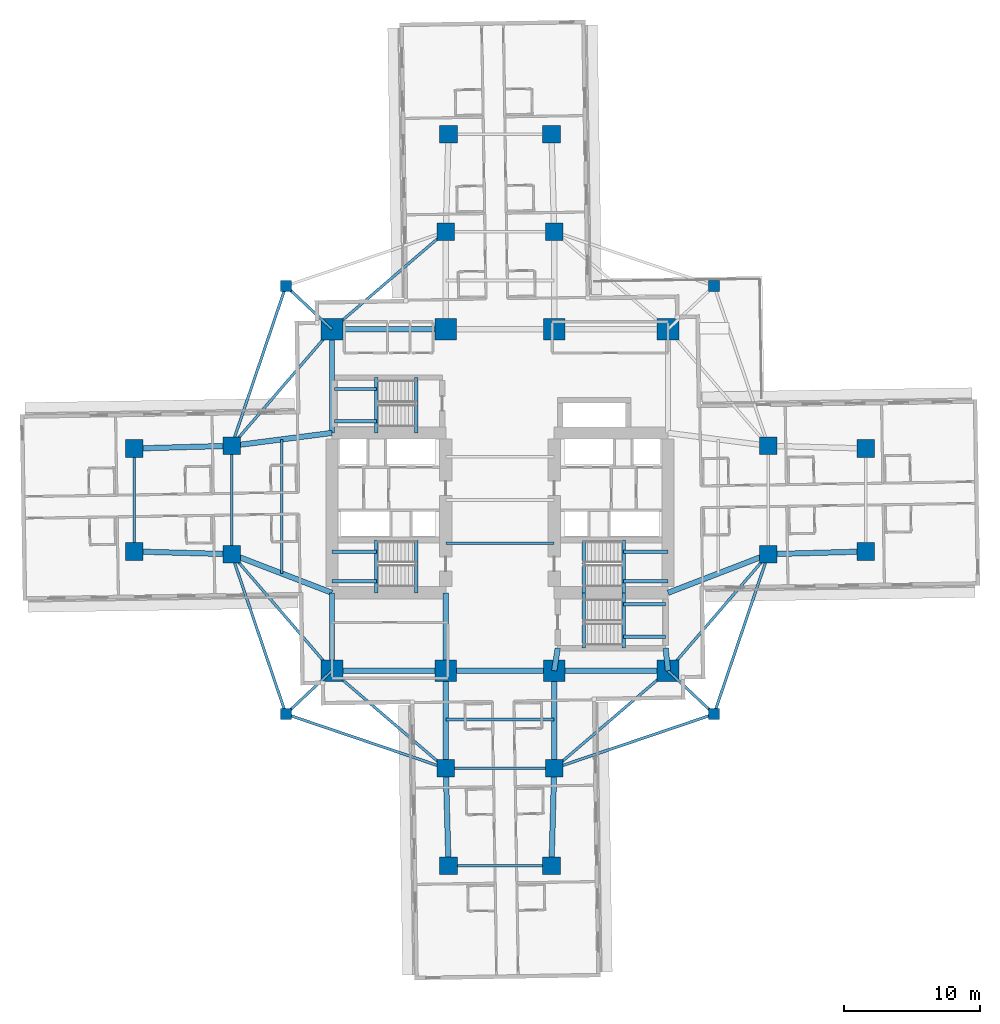
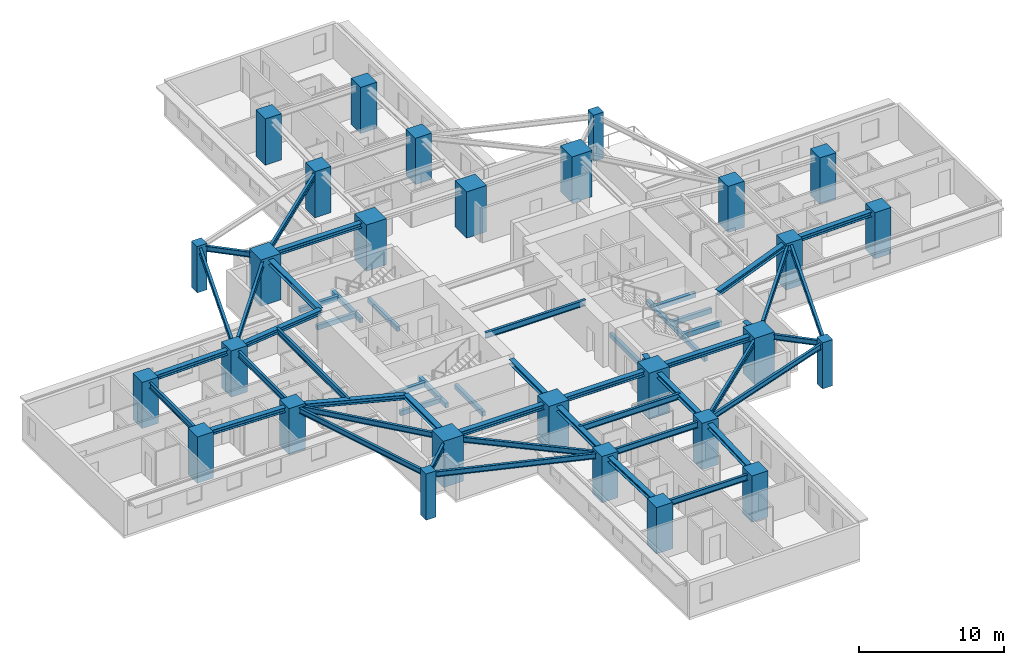
# One storey, part 1 of 14: 56 beams, 28 columns.
"""IFC4 building model written with IfcOpenShell, lengths in metres."""

from ifc_helpers import new_model, si_unit, direction, frame, origin, origin_2d, place, context, subcontext, project, spatial, rectangle, i_section, extrude, material, material_profile, profile_set, type_object, element, save


model = new_model("IFC4")

# Units and contexts
model_context = context("Model", 3, precision=1e-05, world=origin(), true_north=direction((0.0, 1.0)))
body_context = subcontext(model_context, "Body", "Model", "MODEL_VIEW")
ifc_project = project(units=[si_unit("LENGTHUNIT", "METRE"), si_unit("AREAUNIT", "SQUARE_METRE"), si_unit("VOLUMEUNIT", "CUBIC_METRE"), si_unit("PLANEANGLEUNIT", "RADIAN"), si_unit("MASSUNIT", "GRAM", prefix="KILO")], contexts=[model_context])

# Site, building, storey
site_placement = place(None, origin())
site = spatial("IfcSite", under=ifc_project, at=site_placement, CompositionType="ELEMENT")
building_placement = place(site_placement, origin())
building = spatial("IfcBuilding", under=site, at=building_placement, Name="Qingluan Cross Belvedere", CompositionType="ELEMENT")
storey_placement = place(building_placement, frame((0.0, 0.0, 27.60009765625)))
storey = spatial("IfcBuildingStorey", under=building, at=storey_placement, Name="L07", CompositionType="ELEMENT", Elevation=27.60009765625)

# Columns
ifc_material_1 = material(Name="Concrete C60", Category="concrete")
ifc_material_profile_1 = material_profile(ifc_material_1, rectangle(XDim=1.300048828125, YDim=1.300048828125, at=origin_2d()), Name="RC1300x1300")
ifc_profile_set_1 = profile_set([ifc_material_profile_1], Name="Concrete C60")
column_type_1 = type_object("IfcColumnType", Name="Column_RC1300x1300", PredefinedType="COLUMN", material=ifc_profile_set_1)
for number, where, z_axis, x_axis, name in (
    (1, (19.800048828125, -4.0, 0.0), (0.0, 0.0, 1.0), (1.0, 0.0, 0.0), "Arm column L07-EIA"),
    (2, (19.800048828125, 4.0, 0.0), (0.0, 0.0, 1.0), (1.0, 0.0, 0.0), "Arm column L07-EIB"),
    (3, (-19.800048828125, -4.0, 0.0), (0.0, 0.0, 1.0), (1.0, 0.0, 0.0), "Arm column L07-WIA"),
    (4, (-19.800048828125, 4.0, 0.0), (0.0, 0.0, 1.0), (1.0, 0.0, 0.0), "Arm column L07-WIB"),
    (5, (-4.0, -19.800048828125, 0.0), (0.0, 0.0, 1.0), (1.0, 0.0, 0.0), "Arm column L07-SIA"),
    (6, (4.0, -19.800048828125, 0.0), (0.0, 0.0, 1.0), (1.0, 0.0, 0.0), "Arm column L07-SIB"),
    (7, (-4.0, 19.800048828125, 0.0), (0.0, 0.0, 1.0), (1.0, 0.0, 0.0), "Arm column L07-NIA"),
    (8, (4.0, 19.800048828125, 0.0), (0.0, 0.0, 1.0), (1.0, 0.0, 0.0), "Arm column L07-NIB"),
    (9, (27.0, -3.800048828125, 0.0), (0.0, 0.0, 1.0), (1.0, 0.0, 0.0), "Arm column L07-EOA"),
    (10, (27.0, 3.800048828125, 0.0), (0.0, 0.0, 1.0), (1.0, 0.0, 0.0), "Arm column L07-EOB"),
    (11, (-27.0, -3.800048828125, 0.0), (0.0, 0.0, 1.0), (1.0, 0.0, 0.0), "Arm column L07-WOA"),
    (12, (-27.0, 3.800048828125, 0.0), (0.0, 0.0, 1.0), (1.0, 0.0, 0.0), "Arm column L07-WOB"),
    (13, (-3.800048828125, -27.0, 0.0), (0.0, 0.0, 1.0), (1.0, 0.0, 0.0), "Arm column L07-SOA"),
    (14, (3.800048828125, -27.0, 0.0), (0.0, 0.0, 1.0), (1.0, 0.0, 0.0), "Arm column L07-SOB"),
    (15, (-3.800048828125, 27.0, 0.0), (0.0, 0.0, 1.0), (1.0, 0.0, 0.0), "Arm column L07-NOA"),
    (16, (3.800048828125, 27.0, 0.0), (0.0, 0.0, 1.0), (1.0, 0.0, 0.0), "Arm column L07-NOB"),
):
    element("IfcColumn", number, at=place(storey_placement, frame(where, z_axis=z_axis, x_axis=x_axis)), inside=storey, type_object=column_type_1, Name=name, PredefinedType="COLUMN", context=body_context, shape_type="SweptSolid", body=[
        extrude(rectangle(XDim=1.300048828125, YDim=1.300048828125, at=origin_2d()), origin(), (0.0, 0.0, 1.0), 3.89990234375),
    ])
ifc_material_2 = material(Name="Concrete C70", Category="concrete")
ifc_material_profile_2 = material_profile(ifc_material_2, rectangle(XDim=1.60009765625, YDim=1.60009765625, at=origin_2d()), Name="RC1600x1600")
ifc_profile_set_2 = profile_set([ifc_material_profile_2], Name="Concrete C70")
column_type_2 = type_object("IfcColumnType", Name="Column_RC1600x1600", PredefinedType="COLUMN", material=ifc_profile_set_2)
for number, where, z_axis, x_axis, name in (
    (17, (-12.39990234375, -12.60009765625, 0.0), (0.0, 0.0, 1.0), (1.0, 0.0, 0.0), "Hub column L07-HC1"),
    (18, (12.39990234375, -12.60009765625, 0.0), (0.0, 0.0, 1.0), (1.0, 0.0, 0.0), "Hub column L07-HC2"),
    (19, (12.39990234375, 12.60009765625, 0.0), (0.0, 0.0, 1.0), (1.0, 0.0, 0.0), "Hub column L07-HC3"),
    (20, (-12.39990234375, 12.60009765625, 0.0), (0.0, 0.0, 1.0), (1.0, 0.0, 0.0), "Hub column L07-HC4"),
    (21, (-4.0, -12.60009765625, 0.0), (0.0, 0.0, 1.0), (1.0, 0.0, 0.0), "Hub column L07-HC5"),
    (22, (4.0, -12.60009765625, 0.0), (0.0, 0.0, 1.0), (1.0, 0.0, 0.0), "Hub column L07-HC6"),
    (23, (4.0, 12.60009765625, 0.0), (0.0, 0.0, 1.0), (1.0, 0.0, 0.0), "Hub column L07-HC7"),
    (24, (-4.0, 12.60009765625, 0.0), (0.0, 0.0, 1.0), (1.0, 0.0, 0.0), "Hub column L07-HC8"),
):
    element("IfcColumn", number, at=place(storey_placement, frame(where, z_axis=z_axis, x_axis=x_axis)), inside=storey, type_object=column_type_2, Name=name, PredefinedType="COLUMN", context=body_context, shape_type="SweptSolid", body=[
        extrude(rectangle(XDim=1.60009765625, YDim=1.60009765625, at=origin_2d()), origin(), (0.0, 0.0, 1.0), 3.89990234375),
    ])
ifc_material_3 = material(Name="Concrete C50", Category="concrete")
ifc_material_profile_3 = material_profile(ifc_material_3, rectangle(XDim=0.800048828125, YDim=0.800048828125, at=origin_2d()), Name="RC800x800")
ifc_profile_set_3 = profile_set([ifc_material_profile_3], Name="Concrete C50")
column_type_3 = type_object("IfcColumnType", Name="Column_RC800x800", PredefinedType="COLUMN", material=ifc_profile_set_3)
for number, where, z_axis, x_axis, name in (
    (25, (15.800048828125, 15.800048828125, 0.0), (0.0, 0.0, 1.0), (1.0, 0.0, 0.0), "Corner column L07-RNE"),
    (26, (-15.800048828125, 15.800048828125, 0.0), (0.0, 0.0, 1.0), (1.0, 0.0, 0.0), "Corner column L07-RNW"),
    (27, (-15.800048828125, -15.800048828125, 0.0), (0.0, 0.0, 1.0), (1.0, 0.0, 0.0), "Corner column L07-RSW"),
    (28, (15.800048828125, -15.800048828125, 0.0), (0.0, 0.0, 1.0), (1.0, 0.0, 0.0), "Corner column L07-RSE"),
):
    element("IfcColumn", number, at=place(storey_placement, frame(where, z_axis=z_axis, x_axis=x_axis)), inside=storey, type_object=column_type_3, Name=name, PredefinedType="COLUMN", context=body_context, shape_type="SweptSolid", body=[
        extrude(rectangle(XDim=0.800048828125, YDim=0.800048828125, at=origin_2d()), origin(), (0.0, 0.0, 1.0), 3.89990234375),
    ])

# Beams
ifc_material_4 = material(Name="Concrete C45", Category="concrete")
ifc_material_profile_4 = material_profile(ifc_material_4, rectangle(XDim=0.25, YDim=0.39990234375, at=origin_2d()), Name="RC250x400")
ifc_profile_set_4 = profile_set([ifc_material_profile_4], Name="Concrete C45")
beam_type_1 = type_object("IfcBeamType", Name="RC_Lintel_RC250x400", PredefinedType="LINTEL", material=ifc_profile_set_4)
for number, where, z_axis, x_axis, name in (
    (29, (-6.179931640625, -6.85009765625, -0.2001953125), (0.0, 1.0, 0.0), (-1.0, 0.0, 0.0), "Stair ST1 landing beam L07"),
    (30, (6.179931640625, -6.85009765625, -0.2001953125), (0.0, 1.0, 0.0), (-1.0, 0.0, 0.0), "Stair ST2 landing beam L07"),
):
    element("IfcBeam", number, at=place(storey_placement, frame(where, z_axis=z_axis, x_axis=x_axis)), inside=storey, type_object=beam_type_1, Name=name, PredefinedType="LINTEL", context=body_context, shape_type="SweptSolid", body=[
        extrude(rectangle(XDim=0.25, YDim=0.39990234375, at=origin_2d()), origin(), (0.0, 0.0, 1.0), 3.89013671875),
    ])
beam_1_placement = place(storey_placement, frame((-6.179931640625, 4.949951171875, -0.2001953125), z_axis=(0.0, 1.0, 0.0), x_axis=(-1.0, 0.0, 0.0)))
element("IfcBeam", 31, at=beam_1_placement, inside=storey, type_object=beam_type_1, Name="Stair ST3 landing beam L07", PredefinedType="LINTEL", context=body_context, shape_type="SweptSolid", body=[
    extrude(rectangle(XDim=0.25, YDim=0.39990234375, at=origin_2d()), origin(), (0.0, 0.0, 1.0), 4.090087890625),
])
beam_2_placement = place(storey_placement, frame((6.179931640625, -10.93994140625, -0.2001953125), z_axis=(0.0, 1.0, 0.0), x_axis=(-1.0, 0.0, 0.0)))
element("IfcBeam", 32, at=beam_2_placement, inside=storey, type_object=beam_type_1, Name="Stair ST4 landing beam L07", PredefinedType="LINTEL", context=body_context, shape_type="SweptSolid", body=[
    extrude(rectangle(XDim=0.25, YDim=0.39990234375, at=origin_2d()), origin(), (0.0, 0.0, 1.0), 4.08984375),
])
beam_3_placement = place(storey_placement, frame((-9.1298828125, -6.85009765625, 1.5498046875), z_axis=(0.0, 1.0, 0.0), x_axis=(-1.0, 0.0, 0.0)))
element("IfcBeam", 33, at=beam_3_placement, inside=storey, type_object=beam_type_1, Name="Stair ST1 beam A L07", PredefinedType="LINTEL", context=body_context, shape_type="SweptSolid", body=[
    extrude(rectangle(XDim=0.25, YDim=0.39990234375, at=origin_2d()), origin(), (0.0, 0.0, 1.0), 3.89013671875),
])
for number, where, z_axis, x_axis, name in (
    (34, (-12.39990234375, -6.0, 1.5498046875), (1.0, 0.0, 0.0), (0.0, 1.0, 0.0), "Stair ST1 beam B L07"),
    (35, (-12.39990234375, -3.81005859375, 1.5498046875), (1.0, 0.0, 0.0), (0.0, 1.0, 0.0), "Stair ST1 beam C L07"),
):
    element("IfcBeam", number, at=place(storey_placement, frame(where, z_axis=z_axis, x_axis=x_axis)), inside=storey, type_object=beam_type_1, Name=name, PredefinedType="LINTEL", context=body_context, shape_type="SweptSolid", body=[
        extrude(rectangle(XDim=0.25, YDim=0.39990234375, at=origin_2d()), origin(), (0.0, 0.0, 1.0), 3.27001953125),
    ])
beam_4_placement = place(storey_placement, frame((9.1298828125, -6.85009765625, 1.5498046875), z_axis=(0.0, 1.0, 0.0), x_axis=(-1.0, 0.0, 0.0)))
element("IfcBeam", 36, at=beam_4_placement, inside=storey, type_object=beam_type_1, Name="Stair ST2 beam A L07", PredefinedType="LINTEL", context=body_context, shape_type="SweptSolid", body=[
    extrude(rectangle(XDim=0.25, YDim=0.39990234375, at=origin_2d()), origin(), (0.0, 0.0, 1.0), 3.89013671875),
])
for number, where, z_axis, x_axis, name in (
    (37, (12.39990234375, -6.0, 1.5498046875), (-1.0, 0.0, 0.0), (0.0, -1.0, 0.0), "Stair ST2 beam B L07"),
    (38, (12.39990234375, -3.81005859375, 1.5498046875), (-1.0, 0.0, 0.0), (0.0, -1.0, 0.0), "Stair ST2 beam C L07"),
):
    element("IfcBeam", number, at=place(storey_placement, frame(where, z_axis=z_axis, x_axis=x_axis)), inside=storey, type_object=beam_type_1, Name=name, PredefinedType="LINTEL", context=body_context, shape_type="SweptSolid", body=[
        extrude(rectangle(XDim=0.25, YDim=0.39990234375, at=origin_2d()), origin(), (0.0, 0.0, 1.0), 3.27001953125),
    ])
beam_5_placement = place(storey_placement, frame((-9.1298828125, 4.949951171875, 1.5498046875), z_axis=(0.0, 1.0, 0.0), x_axis=(-1.0, 0.0, 0.0)))
element("IfcBeam", 39, at=beam_5_placement, inside=storey, type_object=beam_type_1, Name="Stair ST3 beam A L07", PredefinedType="LINTEL", context=body_context, shape_type="SweptSolid", body=[
    extrude(rectangle(XDim=0.25, YDim=0.39990234375, at=origin_2d()), origin(), (0.0, 0.0, 1.0), 4.090087890625),
])
for number, where, z_axis, x_axis, name in (
    (40, (-12.219970703125, 5.800048828125, 1.5498046875), (1.0, 0.0, 0.0), (0.0, 1.0, 0.0), "Stair ST3 beam B L07"),
    (41, (-12.219970703125, 8.18994140625, 1.5498046875), (1.0, 0.0, 0.0), (0.0, 1.0, 0.0), "Stair ST3 beam C L07"),
):
    element("IfcBeam", number, at=place(storey_placement, frame(where, z_axis=z_axis, x_axis=x_axis)), inside=storey, type_object=beam_type_1, Name=name, PredefinedType="LINTEL", context=body_context, shape_type="SweptSolid", body=[
        extrude(rectangle(XDim=0.25, YDim=0.39990234375, at=origin_2d()), origin(), (0.0, 0.0, 1.0), 3.090087890625),
    ])
beam_6_placement = place(storey_placement, frame((9.1298828125, -10.93994140625, 1.5498046875), z_axis=(0.0, 1.0, 0.0), x_axis=(-1.0, 0.0, 0.0)))
element("IfcBeam", 42, at=beam_6_placement, inside=storey, type_object=beam_type_1, Name="Stair ST4 beam A L07", PredefinedType="LINTEL", context=body_context, shape_type="SweptSolid", body=[
    extrude(rectangle(XDim=0.25, YDim=0.39990234375, at=origin_2d()), origin(), (0.0, 0.0, 1.0), 4.08984375),
])
for number, where, z_axis, x_axis, name in (
    (43, (12.219970703125, -10.090087890625, 1.5498046875), (-1.0, 0.0, 0.0), (0.0, -1.0, 0.0), "Stair ST4 beam B L07"),
    (44, (12.219970703125, -7.699951171875, 1.5498046875), (-1.0, 0.0, 0.0), (0.0, -1.0, 0.0), "Stair ST4 beam C L07"),
):
    element("IfcBeam", number, at=place(storey_placement, frame(where, z_axis=z_axis, x_axis=x_axis)), inside=storey, type_object=beam_type_1, Name=name, PredefinedType="LINTEL", context=body_context, shape_type="SweptSolid", body=[
        extrude(rectangle(XDim=0.25, YDim=0.39990234375, at=origin_2d()), origin(), (0.0, 0.0, 1.0), 3.090087890625),
    ])
ifc_material_5 = material(Name="Steel Q420GJB", Category="steel")
ifc_material_profile_5 = material_profile(ifc_material_5, i_section(OverallWidth=0.199951171875, OverallDepth=0.449951171875, WebThickness=0.009033203125, FlangeThickness=0.013916015625, FilletRadius=0.01611328125, at=origin_2d()), Name="HN450x200x9x14")
ifc_profile_set_5 = profile_set([ifc_material_profile_5], Name="Steel Q420GJB")
beam_type_2 = type_object("IfcBeamType", Name="Steel_Beam_HN450x200x9x14", PredefinedType="JOIST", material=ifc_profile_set_5)
beam_7_placement = place(storey_placement, frame((-12.39990234375, 12.60009765625, 3.474853515625), z_axis=(-0.728219948308, 0.685343495546, 0.0), x_axis=(-0.685343495546, -0.728219948308, 0.0)))
element("IfcBeam", 45, at=beam_7_placement, inside=storey, type_object=beam_type_2, Name="Corner beam 1 L07-RNW", PredefinedType="JOIST", context=body_context, shape_type="SweptSolid", body=[
    extrude(i_section(OverallWidth=0.199951171875, OverallDepth=0.449951171875, WebThickness=0.009033203125, FlangeThickness=0.013916015625, FilletRadius=0.01611328125, at=origin_2d()), origin(), (0.0, 0.0, 1.0), 4.669189453125),
])
beam_8_placement = place(storey_placement, frame((-15.800048828125, 15.800048828125, 3.474853515625), z_axis=(-0.321038089628, -0.947066283324, 0.0), x_axis=(0.947066283324, -0.321038089628, 0.0)))
element("IfcBeam", 46, at=beam_8_placement, inside=storey, type_object=beam_type_2, Name="Corner beam 3 L07-RNW", PredefinedType="JOIST", context=body_context, shape_type="SweptSolid", body=[
    extrude(i_section(OverallWidth=0.199951171875, OverallDepth=0.449951171875, WebThickness=0.009033203125, FlangeThickness=0.013916015625, FilletRadius=0.01611328125, at=origin_2d()), origin(), (0.0, 0.0, 1.0), 12.45947265625),
])
beam_9_placement = place(storey_placement, frame((-12.39990234375, 12.60009765625, 3.474853515625), z_axis=(-0.652245077546, -0.75800815221, 0.0), x_axis=(0.75800815221, -0.652245077546, 0.0)))
element("IfcBeam", 47, at=beam_9_placement, inside=storey, type_object=beam_type_2, Name="Corner beam 4 L07-RNW", PredefinedType="JOIST", context=body_context, shape_type="SweptSolid", body=[
    extrude(i_section(OverallWidth=0.199951171875, OverallDepth=0.449951171875, WebThickness=0.009033203125, FlangeThickness=0.013916015625, FilletRadius=0.01611328125, at=origin_2d()), origin(), (0.0, 0.0, 1.0), 11.345703125),
])
beam_10_placement = place(storey_placement, frame((-12.39990234375, 12.60009765625, 3.474853515625), z_axis=(0.759255044656, 0.650793190779, 0.0), x_axis=(-0.650793190779, 0.759255044656, 0.0)))
element("IfcBeam", 48, at=beam_10_placement, inside=storey, type_object=beam_type_2, Name="Corner beam 5 L07-RNW", PredefinedType="JOIST", context=body_context, shape_type="SweptSolid", body=[
    extrude(i_section(OverallWidth=0.199951171875, OverallDepth=0.449951171875, WebThickness=0.009033203125, FlangeThickness=0.013916015625, FilletRadius=0.01611328125, at=origin_2d()), origin(), (0.0, 0.0, 1.0), 11.063232421875),
])
beam_11_placement = place(storey_placement, frame((-12.39990234375, -12.60009765625, 3.474853515625), z_axis=(-0.728219948308, -0.685343495546, 0.0), x_axis=(0.685343495546, -0.728219948308, 0.0)))
element("IfcBeam", 49, at=beam_11_placement, inside=storey, type_object=beam_type_2, Name="Corner beam 1 L07-RSW", PredefinedType="JOIST", context=body_context, shape_type="SweptSolid", body=[
    extrude(i_section(OverallWidth=0.199951171875, OverallDepth=0.449951171875, WebThickness=0.009033203125, FlangeThickness=0.013916015625, FilletRadius=0.01611328125, at=origin_2d()), origin(), (0.0, 0.0, 1.0), 4.669189453125),
])
for number, where, z_axis, x_axis, name in (
    (50, (-15.800048828125, -15.800048828125, 3.474853515625), (0.947066283324, -0.321038089628, 0.0), (0.321038089628, 0.947066283324, 0.0), "Corner beam 2 L07-RSW"),
    (51, (-15.800048828125, -15.800048828125, 3.474853515625), (-0.321038089628, 0.947066283324, 0.0), (-0.947066283324, -0.321038089628, 0.0), "Corner beam 3 L07-RSW"),
):
    element("IfcBeam", number, at=place(storey_placement, frame(where, z_axis=z_axis, x_axis=x_axis)), inside=storey, type_object=beam_type_2, Name=name, PredefinedType="JOIST", context=body_context, shape_type="SweptSolid", body=[
        extrude(i_section(OverallWidth=0.199951171875, OverallDepth=0.449951171875, WebThickness=0.009033203125, FlangeThickness=0.013916015625, FilletRadius=0.01611328125, at=origin_2d()), origin(), (0.0, 0.0, 1.0), 12.45947265625),
    ])
beam_12_placement = place(storey_placement, frame((-12.39990234375, -12.60009765625, 3.474853515625), z_axis=(-0.652245077546, 0.75800815221, 0.0), x_axis=(-0.75800815221, -0.652245077546, 0.0)))
element("IfcBeam", 52, at=beam_12_placement, inside=storey, type_object=beam_type_2, Name="Corner beam 4 L07-RSW", PredefinedType="JOIST", context=body_context, shape_type="SweptSolid", body=[
    extrude(i_section(OverallWidth=0.199951171875, OverallDepth=0.449951171875, WebThickness=0.009033203125, FlangeThickness=0.013916015625, FilletRadius=0.01611328125, at=origin_2d()), origin(), (0.0, 0.0, 1.0), 11.345703125),
])
beam_13_placement = place(storey_placement, frame((-12.39990234375, -12.60009765625, 3.474853515625), z_axis=(0.759255044656, -0.650793190779, 0.0), x_axis=(0.650793190779, 0.759255044656, 0.0)))
element("IfcBeam", 53, at=beam_13_placement, inside=storey, type_object=beam_type_2, Name="Corner beam 5 L07-RSW", PredefinedType="JOIST", context=body_context, shape_type="SweptSolid", body=[
    extrude(i_section(OverallWidth=0.199951171875, OverallDepth=0.449951171875, WebThickness=0.009033203125, FlangeThickness=0.013916015625, FilletRadius=0.01611328125, at=origin_2d()), origin(), (0.0, 0.0, 1.0), 11.063232421875),
])
beam_14_placement = place(storey_placement, frame((12.39990234375, -12.60009765625, 3.474853515625), z_axis=(0.728219948308, -0.685343495546, 0.0), x_axis=(0.685343495546, 0.728219948308, 0.0)))
element("IfcBeam", 54, at=beam_14_placement, inside=storey, type_object=beam_type_2, Name="Corner beam 1 L07-RSE", PredefinedType="JOIST", context=body_context, shape_type="SweptSolid", body=[
    extrude(i_section(OverallWidth=0.199951171875, OverallDepth=0.449951171875, WebThickness=0.009033203125, FlangeThickness=0.013916015625, FilletRadius=0.01611328125, at=origin_2d()), origin(), (0.0, 0.0, 1.0), 4.669189453125),
])
for number, where, z_axis, x_axis, name in (
    (55, (15.800048828125, -15.800048828125, 3.474853515625), (-0.947066283324, -0.321038089628, 0.0), (0.321038089628, -0.947066283324, 0.0), "Corner beam 2 L07-RSE"),
    (56, (15.800048828125, -15.800048828125, 3.474853515625), (0.321038089628, 0.947066283324, 0.0), (-0.947066283324, 0.321038089628, 0.0), "Corner beam 3 L07-RSE"),
):
    element("IfcBeam", number, at=place(storey_placement, frame(where, z_axis=z_axis, x_axis=x_axis)), inside=storey, type_object=beam_type_2, Name=name, PredefinedType="JOIST", context=body_context, shape_type="SweptSolid", body=[
        extrude(i_section(OverallWidth=0.199951171875, OverallDepth=0.449951171875, WebThickness=0.009033203125, FlangeThickness=0.013916015625, FilletRadius=0.01611328125, at=origin_2d()), origin(), (0.0, 0.0, 1.0), 12.45947265625),
    ])
beam_15_placement = place(storey_placement, frame((12.39990234375, -12.60009765625, 3.474853515625), z_axis=(0.652245077546, 0.75800815221, 0.0), x_axis=(-0.75800815221, 0.652245077546, 0.0)))
element("IfcBeam", 57, at=beam_15_placement, inside=storey, type_object=beam_type_2, Name="Corner beam 4 L07-RSE", PredefinedType="JOIST", context=body_context, shape_type="SweptSolid", body=[
    extrude(i_section(OverallWidth=0.199951171875, OverallDepth=0.449951171875, WebThickness=0.009033203125, FlangeThickness=0.013916015625, FilletRadius=0.01611328125, at=origin_2d()), origin(), (0.0, 0.0, 1.0), 11.345703125),
])
beam_16_placement = place(storey_placement, frame((12.39990234375, -12.60009765625, 3.474853515625), z_axis=(-0.759255044656, -0.650793190779, 0.0), x_axis=(0.650793190779, -0.759255044656, 0.0)))
element("IfcBeam", 58, at=beam_16_placement, inside=storey, type_object=beam_type_2, Name="Corner beam 5 L07-RSE", PredefinedType="JOIST", context=body_context, shape_type="SweptSolid", body=[
    extrude(i_section(OverallWidth=0.199951171875, OverallDepth=0.449951171875, WebThickness=0.009033203125, FlangeThickness=0.013916015625, FilletRadius=0.01611328125, at=origin_2d()), origin(), (0.0, 0.0, 1.0), 11.063232421875),
])
ifc_material_6 = material(Name="Steel Q420GJB", Category="steel")
ifc_material_profile_6 = material_profile(ifc_material_6, i_section(OverallWidth=0.199951171875, OverallDepth=0.5, WebThickness=0.010009765625, FlangeThickness=0.01611328125, FilletRadius=0.01611328125, at=origin_2d()), Name="HN500x200x10x16")
ifc_profile_set_6 = profile_set([ifc_material_profile_6], Name="Steel Q420GJB")
beam_type_3 = type_object("IfcBeamType", Name="Steel_Beam_HN500x200x10x16", PredefinedType="JOIST", material=ifc_profile_set_6)
for number, where, z_axis, x_axis, name in (
    (59, (-4.0, -3.199951171875, 3.449951171875), (1.0, 0.0, 0.0), (0.0, 1.0, 0.0), "Hall beam L07-CH1"),
    (60, (-19.800048828125, -4.0, 3.449951171875), (0.0, 1.0, 0.0), (-1.0, 0.0, 0.0), "Arm W tie L07"),
):
    element("IfcBeam", number, at=place(storey_placement, frame(where, z_axis=z_axis, x_axis=x_axis)), inside=storey, type_object=beam_type_3, Name=name, PredefinedType="JOIST", context=body_context, shape_type="SweptSolid", body=[
        extrude(i_section(OverallWidth=0.199951171875, OverallDepth=0.5, WebThickness=0.010009765625, FlangeThickness=0.01611328125, FilletRadius=0.01611328125, at=origin_2d()), origin(), (0.0, 0.0, 1.0), 8.0),
    ])
beam_17_placement = place(storey_placement, frame((-16.10009765625, -5.425048828125, 3.449951171875), z_axis=(0.0, 1.0, 0.0), x_axis=(-1.0, 0.0, 0.0)))
element("IfcBeam", 61, at=beam_17_placement, inside=storey, type_object=beam_type_3, Name="Arm W beam L07", PredefinedType="JOIST", context=body_context, shape_type="SweptSolid", body=[
    extrude(i_section(OverallWidth=0.199951171875, OverallDepth=0.5, WebThickness=0.010009765625, FlangeThickness=0.01611328125, FilletRadius=0.01611328125, at=origin_2d()), origin(), (0.0, 0.0, 1.0), 9.900146484375),
])
beam_18_placement = place(storey_placement, frame((-27.0, -3.800048828125, 3.449951171875), z_axis=(0.0, 1.0, 0.0), x_axis=(-1.0, 0.0, 0.0)))
element("IfcBeam", 62, at=beam_18_placement, inside=storey, type_object=beam_type_3, Name="Arm W tip transverse beam L07", PredefinedType="JOIST", context=body_context, shape_type="SweptSolid", body=[
    extrude(i_section(OverallWidth=0.199951171875, OverallDepth=0.5, WebThickness=0.010009765625, FlangeThickness=0.01611328125, FilletRadius=0.01611328125, at=origin_2d()), origin(), (0.0, 0.0, 1.0), 7.60009765625),
])
for number, where, z_axis, x_axis, name in (
    (63, (-4.0, -19.800048828125, 3.449951171875), (1.0, 0.0, 0.0), (0.0, 1.0, 0.0), "Arm S tie L07"),
    (64, (-4.0, -16.199951171875, 3.449951171875), (1.0, 0.0, 0.0), (0.0, 1.0, 0.0), "Arm S beam L07"),
):
    element("IfcBeam", number, at=place(storey_placement, frame(where, z_axis=z_axis, x_axis=x_axis)), inside=storey, type_object=beam_type_3, Name=name, PredefinedType="JOIST", context=body_context, shape_type="SweptSolid", body=[
        extrude(i_section(OverallWidth=0.199951171875, OverallDepth=0.5, WebThickness=0.010009765625, FlangeThickness=0.01611328125, FilletRadius=0.01611328125, at=origin_2d()), origin(), (0.0, 0.0, 1.0), 8.0),
    ])
beam_19_placement = place(storey_placement, frame((-3.800048828125, -27.0, 3.449951171875), z_axis=(1.0, 0.0, 0.0), x_axis=(0.0, 1.0, 0.0)))
element("IfcBeam", 65, at=beam_19_placement, inside=storey, type_object=beam_type_3, Name="Arm S tip transverse beam L07", PredefinedType="JOIST", context=body_context, shape_type="SweptSolid", body=[
    extrude(i_section(OverallWidth=0.199951171875, OverallDepth=0.5, WebThickness=0.010009765625, FlangeThickness=0.01611328125, FilletRadius=0.01611328125, at=origin_2d()), origin(), (0.0, 0.0, 1.0), 7.60009765625),
])
ifc_material_7 = material(Name="Steel Q420GJB", Category="steel")
ifc_material_profile_7 = material_profile(ifc_material_7, i_section(OverallWidth=0.39990234375, OverallDepth=0.39990234375, WebThickness=0.012939453125, FlangeThickness=0.02099609375, FilletRadius=0.02197265625, at=origin_2d()), Name="HW400x400x13x21")
ifc_profile_set_7 = profile_set([ifc_material_profile_7], Name="Steel Q420GJB")
beam_type_4 = type_object("IfcBeamType", Name="Steel_Girder_HW400x400x13x21", PredefinedType="USERDEFINED", material=ifc_profile_set_7)
beam_20_placement = place(storey_placement, frame((-12.39990234375, -12.60009765625, 3.5), z_axis=(1.0, 0.0, 0.0), x_axis=(0.0, 1.0, 0.0)))
element("IfcBeam", 66, at=beam_20_placement, inside=storey, type_object=beam_type_4, Name="Hub girder L07-HG-S1", ObjectType="GIRDER", PredefinedType="USERDEFINED", context=body_context, shape_type="SweptSolid", body=[
    extrude(i_section(OverallWidth=0.39990234375, OverallDepth=0.39990234375, WebThickness=0.012939453125, FlangeThickness=0.02099609375, FilletRadius=0.02197265625, at=origin_2d()), origin(), (0.0, 0.0, 1.0), 8.39990234375),
])
beam_21_placement = place(storey_placement, frame((-4.0, -12.60009765625, 3.5), z_axis=(1.0, 0.0, 0.0), x_axis=(0.0, 1.0, 0.0)))
element("IfcBeam", 67, at=beam_21_placement, inside=storey, type_object=beam_type_4, Name="Hub girder L07-HG-S2", ObjectType="GIRDER", PredefinedType="USERDEFINED", context=body_context, shape_type="SweptSolid", body=[
    extrude(i_section(OverallWidth=0.39990234375, OverallDepth=0.39990234375, WebThickness=0.012939453125, FlangeThickness=0.02099609375, FilletRadius=0.02197265625, at=origin_2d()), origin(), (0.0, 0.0, 1.0), 8.0),
])
for number, where, z_axis, x_axis, name in (
    (68, (4.0, -12.60009765625, 3.5), (1.0, 0.0, 0.0), (0.0, 1.0, 0.0), "Hub girder L07-HG-S3"),
    (69, (-12.39990234375, 12.60009765625, 3.5), (1.0, 0.0, 0.0), (0.0, 1.0, 0.0), "Hub girder L07-HG-N1"),
):
    element("IfcBeam", number, at=place(storey_placement, frame(where, z_axis=z_axis, x_axis=x_axis)), inside=storey, type_object=beam_type_4, Name=name, ObjectType="GIRDER", PredefinedType="USERDEFINED", context=body_context, shape_type="SweptSolid", body=[
        extrude(i_section(OverallWidth=0.39990234375, OverallDepth=0.39990234375, WebThickness=0.012939453125, FlangeThickness=0.02099609375, FilletRadius=0.02197265625, at=origin_2d()), origin(), (0.0, 0.0, 1.0), 8.39990234375),
    ])
beam_22_placement = place(storey_placement, frame((-12.39990234375, -12.60009765625, 3.5), z_axis=(0.0, 1.0, 0.0), x_axis=(-1.0, 0.0, 0.0)))
element("IfcBeam", 70, at=beam_22_placement, inside=storey, type_object=beam_type_4, Name="Hub girder L07-HG-W1", ObjectType="GIRDER", PredefinedType="USERDEFINED", context=body_context, shape_type="SweptSolid", body=[
    extrude(i_section(OverallWidth=0.39990234375, OverallDepth=0.39990234375, WebThickness=0.012939453125, FlangeThickness=0.02099609375, FilletRadius=0.02197265625, at=origin_2d()), origin(), (0.0, 0.0, 1.0), 5.75),
])
beam_23_placement = place(storey_placement, frame((-12.39990234375, 4.949951171875, 3.5), z_axis=(0.0, 1.0, 0.0), x_axis=(-1.0, 0.0, 0.0)))
element("IfcBeam", 71, at=beam_23_placement, inside=storey, type_object=beam_type_4, Name="Hub girder L07-HG-W2", ObjectType="GIRDER", PredefinedType="USERDEFINED", context=body_context, shape_type="SweptSolid", body=[
    extrude(i_section(OverallWidth=0.39990234375, OverallDepth=0.39990234375, WebThickness=0.012939453125, FlangeThickness=0.02099609375, FilletRadius=0.02197265625, at=origin_2d()), origin(), (0.0, 0.0, 1.0), 7.650146484375),
])
beam_24_placement = place(storey_placement, frame((12.39990234375, -12.60009765625, 3.5), z_axis=(-0.107751337451, 0.994177876075, 0.0), x_axis=(-0.994177876075, -0.107751337451, 0.0)))
element("IfcBeam", 72, at=beam_24_placement, inside=storey, type_object=beam_type_4, Name="Hub girder L07-HG-E1", ObjectType="GIRDER", PredefinedType="USERDEFINED", context=body_context, shape_type="SweptSolid", body=[
    extrude(i_section(OverallWidth=0.39990234375, OverallDepth=0.39990234375, WebThickness=0.012939453125, FlangeThickness=0.02099609375, FilletRadius=0.02197265625, at=origin_2d()), origin(), (0.0, 0.0, 1.0), 1.669921875),
])
beam_25_placement = place(storey_placement, frame((-4.0, -12.60009765625, 3.5), z_axis=(0.0, 1.0, 0.0), x_axis=(-1.0, 0.0, 0.0)))
element("IfcBeam", 73, at=beam_25_placement, inside=storey, type_object=beam_type_4, Name="Hub girder L07-HG-CW", ObjectType="GIRDER", PredefinedType="USERDEFINED", context=body_context, shape_type="SweptSolid", body=[
    extrude(i_section(OverallWidth=0.39990234375, OverallDepth=0.39990234375, WebThickness=0.012939453125, FlangeThickness=0.02099609375, FilletRadius=0.02197265625, at=origin_2d()), origin(), (0.0, 0.0, 1.0), 5.75),
])
beam_26_placement = place(storey_placement, frame((4.0, -12.60009765625, 3.5), z_axis=(0.154731433337, 0.987956569662, 0.0), x_axis=(-0.987956569662, 0.154731433337, 0.0)))
element("IfcBeam", 74, at=beam_26_placement, inside=storey, type_object=beam_type_4, Name="Hub girder L07-HG-CE", ObjectType="GIRDER", PredefinedType="USERDEFINED", context=body_context, shape_type="SweptSolid", body=[
    extrude(i_section(OverallWidth=0.39990234375, OverallDepth=0.39990234375, WebThickness=0.012939453125, FlangeThickness=0.02099609375, FilletRadius=0.02197265625, at=origin_2d()), origin(), (0.0, 0.0, 1.0), 1.680419921875),
])
beam_27_placement = place(storey_placement, frame((12.39990234375, -6.85009765625, 3.5), z_axis=(0.933181258889, 0.359406090735, 0.0), x_axis=(-0.359406090735, 0.933181258889, 0.0)))
element("IfcBeam", 75, at=beam_27_placement, inside=storey, type_object=beam_type_4, Name="Arm E radial girder A L07", ObjectType="GIRDER", PredefinedType="USERDEFINED", context=body_context, shape_type="SweptSolid", body=[
    extrude(i_section(OverallWidth=0.39990234375, OverallDepth=0.39990234375, WebThickness=0.012939453125, FlangeThickness=0.02099609375, FilletRadius=0.02197265625, at=origin_2d()), origin(), (0.0, 0.0, 1.0), 7.929931640625),
])
beam_28_placement = place(storey_placement, frame((19.800048828125, -4.0, 3.5), z_axis=(0.999614603568, 0.027760481514, 0.0), x_axis=(-0.027760481514, 0.999614603568, 0.0)))
element("IfcBeam", 76, at=beam_28_placement, inside=storey, type_object=beam_type_4, Name="Arm E outer radial girder A L07", ObjectType="GIRDER", PredefinedType="USERDEFINED", context=body_context, shape_type="SweptSolid", body=[
    extrude(i_section(OverallWidth=0.39990234375, OverallDepth=0.39990234375, WebThickness=0.012939453125, FlangeThickness=0.02099609375, FilletRadius=0.02197265625, at=origin_2d()), origin(), (0.0, 0.0, 1.0), 7.20263671875),
])
beam_29_placement = place(storey_placement, frame((-12.39990234375, -6.85009765625, 3.5), z_axis=(-0.933181258889, 0.359406090735, 0.0), x_axis=(-0.359406090735, -0.933181258889, 0.0)))
element("IfcBeam", 77, at=beam_29_placement, inside=storey, type_object=beam_type_4, Name="Arm W radial girder A L07", ObjectType="GIRDER", PredefinedType="USERDEFINED", context=body_context, shape_type="SweptSolid", body=[
    extrude(i_section(OverallWidth=0.39990234375, OverallDepth=0.39990234375, WebThickness=0.012939453125, FlangeThickness=0.02099609375, FilletRadius=0.02197265625, at=origin_2d()), origin(), (0.0, 0.0, 1.0), 7.929931640625),
])
beam_30_placement = place(storey_placement, frame((-12.39990234375, 4.949951171875, 3.5), z_axis=(-0.991861120628, -0.12732445714, 0.0), x_axis=(0.12732445714, -0.991861120628, 0.0)))
element("IfcBeam", 78, at=beam_30_placement, inside=storey, type_object=beam_type_4, Name="Arm W radial girder B L07", ObjectType="GIRDER", PredefinedType="USERDEFINED", context=body_context, shape_type="SweptSolid", body=[
    extrude(i_section(OverallWidth=0.39990234375, OverallDepth=0.39990234375, WebThickness=0.012939453125, FlangeThickness=0.02099609375, FilletRadius=0.02197265625, at=origin_2d()), origin(), (0.0, 0.0, 1.0), 7.4609375),
])
for number, where, z_axis, x_axis, name in (
    (79, (-19.800048828125, -4.0, 3.5), (-0.999614603568, 0.027760481514, 0.0), (-0.027760481514, -0.999614603568, 0.0), "Arm W outer radial girder A L07"),
    (80, (-19.800048828125, 4.0, 3.5), (-0.999614603568, -0.027760481514, 0.0), (0.027760481514, -0.999614603568, 0.0), "Arm W outer radial girder B L07"),
):
    element("IfcBeam", number, at=place(storey_placement, frame(where, z_axis=z_axis, x_axis=x_axis)), inside=storey, type_object=beam_type_4, Name=name, ObjectType="GIRDER", PredefinedType="USERDEFINED", context=body_context, shape_type="SweptSolid", body=[
        extrude(i_section(OverallWidth=0.39990234375, OverallDepth=0.39990234375, WebThickness=0.012939453125, FlangeThickness=0.02099609375, FilletRadius=0.02197265625, at=origin_2d()), origin(), (0.0, 0.0, 1.0), 7.20263671875),
    ])
for number, where, z_axis, x_axis, name in (
    (81, (-4.0, -12.60009765625, 3.5), (0.0, -1.0, 0.0), (1.0, 0.0, 0.0), "Arm S radial girder A L07"),
    (82, (4.0, -12.60009765625, 3.5), (0.0, -1.0, 0.0), (1.0, 0.0, 0.0), "Arm S radial girder B L07"),
):
    element("IfcBeam", number, at=place(storey_placement, frame(where, z_axis=z_axis, x_axis=x_axis)), inside=storey, type_object=beam_type_4, Name=name, ObjectType="GIRDER", PredefinedType="USERDEFINED", context=body_context, shape_type="SweptSolid", body=[
        extrude(i_section(OverallWidth=0.39990234375, OverallDepth=0.39990234375, WebThickness=0.012939453125, FlangeThickness=0.02099609375, FilletRadius=0.02197265625, at=origin_2d()), origin(), (0.0, 0.0, 1.0), 7.199951171875),
    ])
for number, where, z_axis, x_axis, name in (
    (83, (-4.0, -19.800048828125, 3.5), (0.027760481514, -0.999614603568, 0.0), (0.999614603568, 0.027760481514, 0.0), "Arm S outer radial girder A L07"),
    (84, (4.0, -19.800048828125, 3.5), (-0.027760481514, -0.999614603568, 0.0), (0.999614603568, -0.027760481514, 0.0), "Arm S outer radial girder B L07"),
):
    element("IfcBeam", number, at=place(storey_placement, frame(where, z_axis=z_axis, x_axis=x_axis)), inside=storey, type_object=beam_type_4, Name=name, ObjectType="GIRDER", PredefinedType="USERDEFINED", context=body_context, shape_type="SweptSolid", body=[
        extrude(i_section(OverallWidth=0.39990234375, OverallDepth=0.39990234375, WebThickness=0.012939453125, FlangeThickness=0.02099609375, FilletRadius=0.02197265625, at=origin_2d()), origin(), (0.0, 0.0, 1.0), 7.20263671875),
    ])

save(model, "model.ifc")
